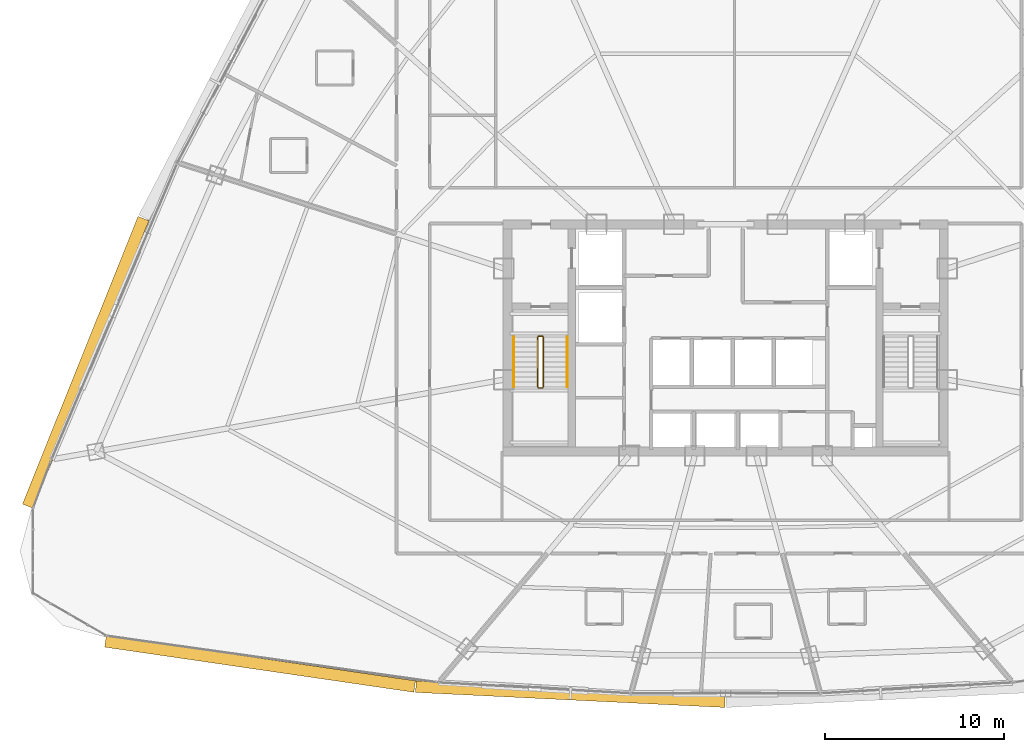
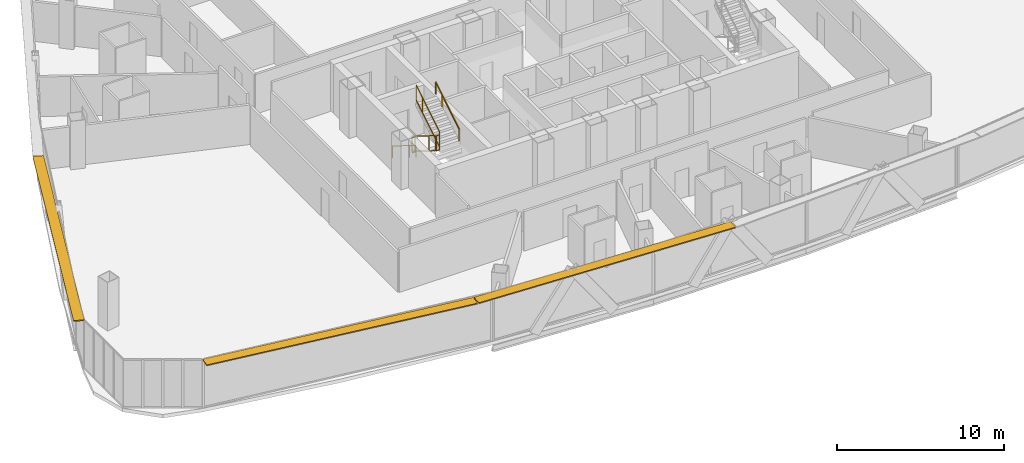
# One storey, part 37 of 40: 6 railings, 3 shading devices.
"""IFC4 building model written with IfcOpenShell, lengths in metres."""

import ifcopenshell
import ifcopenshell.guid

model = None  # the IFC model being written
_history = None  # IfcOwnerHistory: only IFC2X3 demands one
_inside = {}  # id of a spatial element -> (the spatial element, [elements in it])
_under = {}  # id of a project, library or spatial element -> (it, [spatial elements below it])
_declared = {}  # id of a project -> (the project, [libraries it declares])
_typed = {}  # id of a type object -> (the type object, [elements of that type])
_made_of = {}  # id of a material, layer set ... -> (it, [elements and type objects made of it])


def new_model(schema):
    """Start an empty IFC model of exactly this schema.

    Asked for "IFC4X3", IfcOpenShell would pick the latest addendum, in which some entities
    have other attributes; the version numbers below select the first issue.
    IFC2X3 requires an IfcOwnerHistory on every rooted entity: one is made here for all.
    """
    global model, _history
    if schema == "IFC4X3":
        model = ifcopenshell.file(schema_version=(4, 3, 0, 0))
    else:
        model = ifcopenshell.file(schema=schema)
    _inside.clear()
    _under.clear()
    _declared.clear()
    _typed.clear()
    _made_of.clear()
    _history = None
    if model.schema == "IFC2X3":
        org = make("IfcOrganization", Name="unknown")
        user = make(
            "IfcPersonAndOrganization",
            ThePerson=make("IfcPerson", FamilyName="unknown"),
            TheOrganization=org,
        )
        app = make(
            "IfcApplication",
            ApplicationDeveloper=org,
            Version="unknown",
            ApplicationFullName="unknown",
            ApplicationIdentifier="unknown",
        )
        _history = make(
            "IfcOwnerHistory",
            OwningUser=user,
            OwningApplication=app,
            ChangeAction="ADDED",
            CreationDate=0,
        )
    return model


def make(cls, **values):
    """One entity of the class cls with the attributes given. An attribute that is None is left unset."""
    return model.create_entity(
        cls, **{name: value for name, value in values.items() if value is not None}
    )


def rooted(cls, **values):
    """An entity with a GlobalId (a new one), such as an element, a storey or a relation."""
    return make(cls, GlobalId=ifcopenshell.guid.new(), OwnerHistory=_history, **values)


def si_unit(unit_type, name, prefix=None):
    """IfcSIUnit, for example si_unit("LENGTHUNIT", "METRE", prefix="MILLI")."""
    return make("IfcSIUnit", UnitType=unit_type, Prefix=prefix, Name=name)


def assignment(units):
    """IfcUnitAssignment: the units of a project."""
    return None if units is None else make("IfcUnitAssignment", Units=units)


def point(xyz):
    """IfcCartesianPoint."""
    return None if xyz is None else make("IfcCartesianPoint", Coordinates=xyz)


def direction(xyz):
    """IfcDirection."""
    return None if xyz is None else make("IfcDirection", DirectionRatios=xyz)


def frame(location, z_axis=None, x_axis=None):
    """IfcAxis2Placement3D, a coordinate frame: its origin and axes. An axis left out is left unset."""
    return make(
        "IfcAxis2Placement3D",
        Location=point(location),
        Axis=direction(z_axis),
        RefDirection=direction(x_axis),
    )


def frame_2d(location, x_axis=None):
    """IfcAxis2Placement2D, a coordinate frame in the plane: its origin and x axis."""
    return make(
        "IfcAxis2Placement2D", Location=point(location), RefDirection=direction(x_axis)
    )


def origin():
    """The frame at (0, 0, 0) with its axes left unset."""
    return frame((0.0, 0.0, 0.0))


def origin_2d():
    """The frame at (0, 0) in the plane with its x axis left unset."""
    return frame_2d((0.0, 0.0))


def place(relative_to, where):
    """IfcLocalPlacement: puts the frame where relative to a parent placement (None: the world)."""
    return make(
        "IfcLocalPlacement", PlacementRelTo=relative_to, RelativePlacement=where
    )


def context(
    kind, dimensions, precision=None, world=None, true_north=None, identifier=None
):
    """IfcGeometricRepresentationContext, for example the 3D "Model" context."""
    return make(
        "IfcGeometricRepresentationContext",
        ContextIdentifier=identifier,
        ContextType=kind,
        CoordinateSpaceDimension=dimensions,
        Precision=precision,
        WorldCoordinateSystem=world,
        TrueNorth=true_north,
    )


def subcontext(parent, identifier, kind, view, scale=None):
    """IfcGeometricRepresentationSubContext, for example "Body" below "Model"."""
    return make(
        "IfcGeometricRepresentationSubContext",
        ContextIdentifier=identifier,
        ContextType=kind,
        ParentContext=parent,
        TargetScale=scale,
        TargetView=view,
    )


def project(units=None, contexts=None):
    """IfcProject with its units and contexts."""
    return rooted(
        "IfcProject",
        Name="project",
        RepresentationContexts=contexts,
        UnitsInContext=assignment(units),
    )


def spatial(cls, under=None, at=None, **own):
    """A site, building, storey or space (cls), placed at a placement, below another one or the project."""
    s = rooted(cls, ObjectPlacement=at, **own)
    if under is not None:
        _under.setdefault(under.id(), (under, []))[1].append(s)
    return s


def profile(cls, at=None, kind="AREA", **sizes):
    """A parametric profile (cls). Its sizes go by their IFC names, for example OverallWidth=200.0."""
    return make(cls, ProfileType=kind, Position=at, **sizes)


def rectangle(**sizes):
    """IfcRectangleProfileDef."""
    return profile("IfcRectangleProfileDef", **sizes)


def extrude(swept, where, along, depth):
    """IfcExtrudedAreaSolid: the profile swept, set in the frame where, extruded along a direction by depth."""
    return make(
        "IfcExtrudedAreaSolid",
        SweptArea=swept,
        Position=where,
        ExtrudedDirection=direction(along),
        Depth=depth,
    )


def shape(context_of_items, identifier, shape_type, items):
    """IfcShapeRepresentation: the items that make up one representation, for example the "Body"."""
    return make(
        "IfcShapeRepresentation",
        ContextOfItems=context_of_items,
        RepresentationIdentifier=identifier,
        RepresentationType=shape_type,
        Items=items,
    )


def source(mapping_origin, context_of_items, identifier, shape_type, items):
    """IfcRepresentationMap: a shape defined once, which mapped items show again and again."""
    return make(
        "IfcRepresentationMap",
        MappingOrigin=mapping_origin,
        MappedRepresentation=shape(context_of_items, identifier, shape_type, items),
    )


def transform(
    local_origin,
    x_axis=None,
    y_axis=None,
    z_axis=None,
    scale=None,
    scale2=None,
    scale3=None,
    uniform=True,
):
    """IfcCartesianTransformationOperator3D, or its non-uniform kind. x_axis, y_axis, z_axis: its Axis1, 2, 3."""
    if uniform:
        return make(
            "IfcCartesianTransformationOperator3D",
            Axis1=direction(x_axis),
            Axis2=direction(y_axis),
            LocalOrigin=point(local_origin),
            Scale=scale,
            Axis3=direction(z_axis),
        )
    return make(
        "IfcCartesianTransformationOperator3DnonUniform",
        Axis1=direction(x_axis),
        Axis2=direction(y_axis),
        LocalOrigin=point(local_origin),
        Scale=scale,
        Axis3=direction(z_axis),
        Scale2=scale2,
        Scale3=scale3,
    )


def mapped(mapping_source, mapping_target):
    """IfcMappedItem: shows the shape of a source again, moved by a transform."""
    return make(
        "IfcMappedItem", MappingSource=mapping_source, MappingTarget=mapping_target
    )


def material(Name=None, Category=None):
    """IfcMaterial."""
    return make("IfcMaterial", Name=Name, Category=Category)


def layer(
    of_material, thickness, ventilated=None, Name=None, Category=None, Priority=None
):
    """IfcMaterialLayer: one layer of a wall or slab, of a material (None: an air gap)."""
    return make(
        "IfcMaterialLayer",
        Material=of_material,
        LayerThickness=thickness,
        IsVentilated=ventilated,
        Name=Name,
        Category=Category,
        Priority=Priority,
    )


def layer_set(layers, Name=None):
    """IfcMaterialLayerSet."""
    return make("IfcMaterialLayerSet", MaterialLayers=layers, LayerSetName=Name)


def made_of(thing, what):
    """Note that an element or type object is made of a material, layer set ...; save() writes the relation."""
    if what is not None:
        _made_of.setdefault(what.id(), (what, []))[1].append(thing)
    return thing


def type_object(cls, material=None, **own):
    """A type object (cls), such as IfcWallType, which elements share."""
    return made_of(rooted(cls, **own), material)


def element(
    cls,
    number,
    at=None,
    inside=None,
    cuts=None,
    type_object=None,
    material=None,
    context=None,
    identifier="Body",
    shape_type=None,
    held_by="IfcProductDefinitionShape",
    body=None,
    shapes=None,
    **own,
):
    """One element of the class cls, such as IfcWall. Its Tag is "e" and its number.

    at: its placement. inside: the storey or other place that contains it. cuts: it is an
    opening in that element (IfcRelVoidsElement). A single representation is given by context,
    identifier, shape_type and body (its items); several are given by shapes. held_by: the class
    of the entity that holds the representations. save() writes the other relations.
    """
    e = rooted(cls, Tag="e%d" % number, ObjectPlacement=at, **own)
    if body is not None:
        shapes = [shape(context, identifier, shape_type, body)]
    if shapes is not None:
        e.Representation = make(held_by, Representations=shapes)
    if inside is not None:
        _inside.setdefault(inside.id(), (inside, []))[1].append(e)
    if cuts is not None:
        rooted(
            "IfcRelVoidsElement", RelatingBuildingElement=cuts, RelatedOpeningElement=e
        )
    if type_object is not None:
        _typed.setdefault(type_object.id(), (type_object, []))[1].append(e)
    return made_of(e, material)


def aggregate(whole, parts):
    """IfcRelAggregates: a whole, such as a stair, and the parts it consists of."""
    return rooted("IfcRelAggregates", RelatingObject=whole, RelatedObjects=parts)


def save(model, path):
    """Write the relations noted so far, then the file.

    IfcRelAggregates (storeys below a building ...), IfcRelContainedInSpatialStructure (elements
    in a storey), IfcRelDefinesByType, IfcRelAssociatesMaterial and IfcRelDeclares: one each for
    every whole, place, type object, material and project.
    """
    for whole, parts in _under.values():
        aggregate(whole, parts)
    for where, things in _inside.values():
        rooted(
            "IfcRelContainedInSpatialStructure",
            RelatedElements=things,
            RelatingStructure=where,
        )
    for kind, things in _typed.values():
        rooted("IfcRelDefinesByType", RelatedObjects=things, RelatingType=kind)
    for what, things in _made_of.values():
        rooted("IfcRelAssociatesMaterial", RelatedObjects=things, RelatingMaterial=what)
    for by, libraries in _declared.values():
        rooted("IfcRelDeclares", RelatingContext=by, RelatedDefinitions=libraries)
    model.write(path)


model = new_model("IFC4")

# Units and contexts
model_context = context("Model", 3, precision=1e-05, world=origin(), true_north=direction((0.0, 1.0)))
body_context = subcontext(model_context, "Body", "Model", "MODEL_VIEW")
ifc_project = project(units=[si_unit("LENGTHUNIT", "METRE"), si_unit("AREAUNIT", "SQUARE_METRE"), si_unit("VOLUMEUNIT", "CUBIC_METRE"), si_unit("PLANEANGLEUNIT", "RADIAN"), si_unit("MASSUNIT", "GRAM", prefix="KILO"), si_unit("THERMODYNAMICTEMPERATUREUNIT", "KELVIN"), si_unit("POWERUNIT", "WATT")], contexts=[model_context])

# Site, building, storey
site_placement = place(None, origin())
site = spatial("IfcSite", under=ifc_project, at=site_placement, CompositionType="ELEMENT")
building_placement = place(site_placement, origin())
building = spatial("IfcBuilding", under=site, at=building_placement, Name="Yunzhuo Pagoda Commons", CompositionType="ELEMENT")
storey_placement = place(building_placement, frame((0.0, 0.0, 180.9599609375)))
storey = spatial("IfcBuildingStorey", under=building, at=storey_placement, Name="L45", CompositionType="ELEMENT", Elevation=180.9599609375)

# Railings
ifc_material = material(Name="Anodized aluminium 6063-T6", Category="aluminium")
railing_type_1 = type_object("IfcRailingType", Name="GR-ST1 Stair Well Guardrail 1150", PredefinedType="GUARDRAIL", material=ifc_material)
railing_1_placement = place(storey_placement, frame((37.5, 33.89990234375, 0.1728515625)))
element("IfcRailing", 1, at=railing_1_placement, inside=storey, type_object=railing_type_1, Name="L45 ST1 stair guard 1", PredefinedType="GUARDRAIL", context=body_context, shape_type="SweptSolid", body=[
    extrude(rectangle(XDim=0.048095703125, YDim=0.048095703125, at=origin_2d()), frame((0.0, 0.0, 1.1259765625), z_axis=(0.0, -0.851069175582, 0.525053576669), x_axis=(1.0, 0.0, 0.0)), (0.0, 0.0, 1.0), 3.289794921875),
    extrude(rectangle(XDim=0.048095703125, YDim=0.048095703125, at=origin_2d()), frame((0.0, 0.0, 0.02392578125), z_axis=(0.0, -0.851069175582, 0.525053576669), x_axis=(1.0, 0.0, 0.0)), (0.0, 0.0, 1.0), 3.289794921875),
    extrude(rectangle(XDim=0.0419921875, YDim=0.0419921875, at=origin_2d()), origin(), (0.0, 0.0, 1.0), 1.101806640625),
    extrude(rectangle(XDim=0.0419921875, YDim=0.0419921875, at=origin_2d()), frame((0.0, -2.04248046875, 1.260009765625)), (0.0, 0.0, 1.0), 1.101806640625),
    extrude(rectangle(XDim=0.0419921875, YDim=0.0419921875, at=origin_2d()), frame((0.0, -2.7998046875, 1.727294921875)), (0.0, 0.0, 1.0), 1.101806640625),
])
railing_2_placement = place(storey_placement, frame((37.550048828125, 31.050048828125, 1.900146484375)))
element("IfcRailing", 2, at=railing_2_placement, inside=storey, type_object=railing_type_1, Name="L45 ST1 stair guard 2", PredefinedType="GUARDRAIL", context=body_context, shape_type="SweptSolid", body=[
    extrude(rectangle(XDim=0.048095703125, YDim=0.048095703125, at=origin_2d()), frame((0.0, 0.0, 1.1259765625), z_axis=(1.0, 0.0, 0.0), x_axis=(0.0, 1.0, 0.0)), (0.0, 0.0, 1.0), 0.199951171875),
    extrude(rectangle(XDim=0.048095703125, YDim=0.048095703125, at=origin_2d()), frame((0.0, 0.0, 0.02392578125), z_axis=(1.0, 0.0, 0.0), x_axis=(0.0, 1.0, 0.0)), (0.0, 0.0, 1.0), 0.199951171875),
    extrude(rectangle(XDim=0.0419921875, YDim=0.0419921875, at=origin_2d()), origin(), (0.0, 0.0, 1.0), 1.101806640625),
    extrude(rectangle(XDim=0.0419921875, YDim=0.0419921875, at=origin_2d()), frame((0.199951171875, 0.0, 0.0)), (0.0, 0.0, 1.0), 1.101806640625),
])
railing_3_placement = place(storey_placement, frame((37.800048828125, 31.10009765625, 2.07275390625)))
element("IfcRailing", 3, at=railing_3_placement, inside=storey, type_object=railing_type_1, Name="L45 ST1 stair guard 3", PredefinedType="GUARDRAIL", context=body_context, shape_type="SweptSolid", body=[
    extrude(rectangle(XDim=0.048095703125, YDim=0.048095703125, at=origin_2d()), frame((0.0, 0.0, 1.1259765625), z_axis=(0.0, 0.851069175582, 0.525053576669), x_axis=(-1.0, 0.0, 0.0)), (0.0, 0.0, 1.0), 3.289794921875),
    extrude(rectangle(XDim=0.048095703125, YDim=0.048095703125, at=origin_2d()), frame((0.0, 0.0, 0.02392578125), z_axis=(0.0, 0.851069175582, 0.525053576669), x_axis=(-1.0, 0.0, 0.0)), (0.0, 0.0, 1.0), 3.289794921875),
    extrude(rectangle(XDim=0.0419921875, YDim=0.0419921875, at=origin_2d()), origin(), (0.0, 0.0, 1.0), 1.101806640625),
    extrude(rectangle(XDim=0.0419921875, YDim=0.0419921875, at=origin_2d()), frame((0.0, 2.04248046875, 1.260009765625)), (0.0, 0.0, 1.0), 1.101806640625),
    extrude(rectangle(XDim=0.0419921875, YDim=0.0419921875, at=origin_2d()), frame((0.0, 2.7998046875, 1.727294921875)), (0.0, 0.0, 1.0), 1.101806640625),
])
railing_4_placement = place(storey_placement, frame((37.550048828125, 33.949951171875, 0.0)))
element("IfcRailing", 4, at=railing_4_placement, inside=storey, type_object=railing_type_1, Name="L45 ST1 stair guard 4", PredefinedType="GUARDRAIL", context=body_context, shape_type="SweptSolid", body=[
    extrude(rectangle(XDim=0.048095703125, YDim=0.048095703125, at=origin_2d()), frame((0.0, 0.0, 1.1259765625), z_axis=(1.0, 0.0, 0.0), x_axis=(0.0, 1.0, 0.0)), (0.0, 0.0, 1.0), 0.199951171875),
    extrude(rectangle(XDim=0.048095703125, YDim=0.048095703125, at=origin_2d()), frame((0.0, 0.0, 0.02392578125), z_axis=(1.0, 0.0, 0.0), x_axis=(0.0, 1.0, 0.0)), (0.0, 0.0, 1.0), 0.199951171875),
    extrude(rectangle(XDim=0.0419921875, YDim=0.0419921875, at=origin_2d()), origin(), (0.0, 0.0, 1.0), 1.101806640625),
    extrude(rectangle(XDim=0.0419921875, YDim=0.0419921875, at=origin_2d()), frame((0.199951171875, 0.0, 0.0)), (0.0, 0.0, 1.0), 1.101806640625),
])
railing_type_2 = type_object("IfcRailingType", Name="HR-ST1 Stair Handrail 900", PredefinedType="HANDRAIL", material=ifc_material)
railing_5_placement = place(storey_placement, frame((36.14990234375, 33.89990234375, 0.1728515625)))
element("IfcRailing", 5, at=railing_5_placement, inside=storey, type_object=railing_type_2, Name="L45 ST1 stair handrail 1", PredefinedType="HANDRAIL", context=body_context, shape_type="SweptSolid", body=[
    extrude(rectangle(XDim=0.048095703125, YDim=0.048095703125, at=origin_2d()), frame((0.0, 0.0, 0.8759765625), z_axis=(0.0, -0.851069175582, 0.525053576669), x_axis=(1.0, 0.0, 0.0)), (0.0, 0.0, 1.0), 3.289794921875),
    extrude(rectangle(XDim=0.0419921875, YDim=0.0419921875, at=origin_2d()), origin(), (0.0, 0.0, 1.0), 0.851806640625),
    extrude(rectangle(XDim=0.0419921875, YDim=0.0419921875, at=origin_2d()), frame((0.0, -2.04248046875, 1.260009765625)), (0.0, 0.0, 1.0), 0.851806640625),
    extrude(rectangle(XDim=0.0419921875, YDim=0.0419921875, at=origin_2d()), frame((0.0, -2.7998046875, 1.727294921875)), (0.0, 0.0, 1.0), 0.851806640625),
])
railing_6_placement = place(storey_placement, frame((39.14990234375, 31.10009765625, 2.07275390625)))
element("IfcRailing", 6, at=railing_6_placement, inside=storey, type_object=railing_type_2, Name="L45 ST1 stair handrail 2", PredefinedType="HANDRAIL", context=body_context, shape_type="SweptSolid", body=[
    extrude(rectangle(XDim=0.048095703125, YDim=0.048095703125, at=origin_2d()), frame((0.0, 0.0, 0.8759765625), z_axis=(0.0, 0.851069175582, 0.525053576669), x_axis=(-1.0, 0.0, 0.0)), (0.0, 0.0, 1.0), 3.289794921875),
    extrude(rectangle(XDim=0.0419921875, YDim=0.0419921875, at=origin_2d()), origin(), (0.0, 0.0, 1.0), 0.851806640625),
    extrude(rectangle(XDim=0.0419921875, YDim=0.0419921875, at=origin_2d()), frame((0.0, 2.04248046875, 1.260009765625)), (0.0, 0.0, 1.0), 0.851806640625),
    extrude(rectangle(XDim=0.0419921875, YDim=0.0419921875, at=origin_2d()), frame((0.0, 2.7998046875, 1.727294921875)), (0.0, 0.0, 1.0), 0.851806640625),
])

# Shading devices
ifc_layer = layer(ifc_material, 0.080078125)
ifc_layer_set = layer_set([ifc_layer], Name="Anodized aluminium 6063-T6")
shading_device_type = type_object("IfcShadingDeviceType", Name="SH-SUN1 Pagoda Horizontal Sunshade Eave 650", PredefinedType="USERDEFINED", material=ifc_layer_set)
shared_shape_1 = source(origin(), body_context, "Body", "SweptSolid", [
    extrude(rectangle(XDim=17.475830078125, YDim=0.64990234375, at=origin_2d()), origin(), (0.0, 0.0, 1.0), 0.080078125),
])
shading_device_1_placement = place(storey_placement, frame((21.967041015625, 15.615478515625, 3.4599609375), z_axis=(0.0, 0.0, 1.0), x_axis=(0.989510666697, -0.144459823108, 0.0)))
element("IfcShadingDevice", 7, at=shading_device_1_placement, inside=storey, type_object=shading_device_type, Name="L45 horizontal pagoda sunshade eave F1.1", ObjectType="SUNSHADE", PredefinedType="USERDEFINED", context=body_context, shape_type="MappedRepresentation", body=[
    mapped(shared_shape_1, transform((0.0, 0.0, 0.0), scale=1.0)),
])
shared_shape_2 = source(origin(), body_context, "Body", "SweptSolid", [
    extrude(rectangle(XDim=17.312744140625, YDim=0.64990234375, at=origin_2d()), origin(), (0.0, 0.0, 1.0), 0.080078125),
])
shading_device_2_placement = place(storey_placement, frame((39.322265625, 13.926513671875, 3.4599609375), z_axis=(0.0, 0.0, 1.0), x_axis=(0.998818043775, -0.04860571396, 0.0)))
element("IfcShadingDevice", 8, at=shading_device_2_placement, inside=storey, type_object=shading_device_type, Name="L45 horizontal pagoda sunshade eave F1.2", ObjectType="SUNSHADE", PredefinedType="USERDEFINED", context=body_context, shape_type="MappedRepresentation", body=[
    mapped(shared_shape_2, transform((0.0, 0.0, 0.0), scale=1.0)),
])
shared_shape_3 = source(origin(), body_context, "Body", "SweptSolid", [
    extrude(rectangle(XDim=17.335205078125, YDim=0.64990234375, at=origin_2d()), origin(), (0.0, 0.0, 1.0), 0.080078125),
])
shading_device_3_placement = place(storey_placement, frame((12.213134765625, 32.4794921875, 3.4599609375), z_axis=(0.0, 0.0, 1.0), x_axis=(-0.372987782576, -0.927836253899, 0.0)))
element("IfcShadingDevice", 9, at=shading_device_3_placement, inside=storey, type_object=shading_device_type, Name="L45 horizontal pagoda sunshade eave F3.4", ObjectType="SUNSHADE", PredefinedType="USERDEFINED", context=body_context, shape_type="MappedRepresentation", body=[
    mapped(shared_shape_3, transform((0.0, 0.0, 0.0), scale=1.0)),
])

save(model, "model.ifc")
